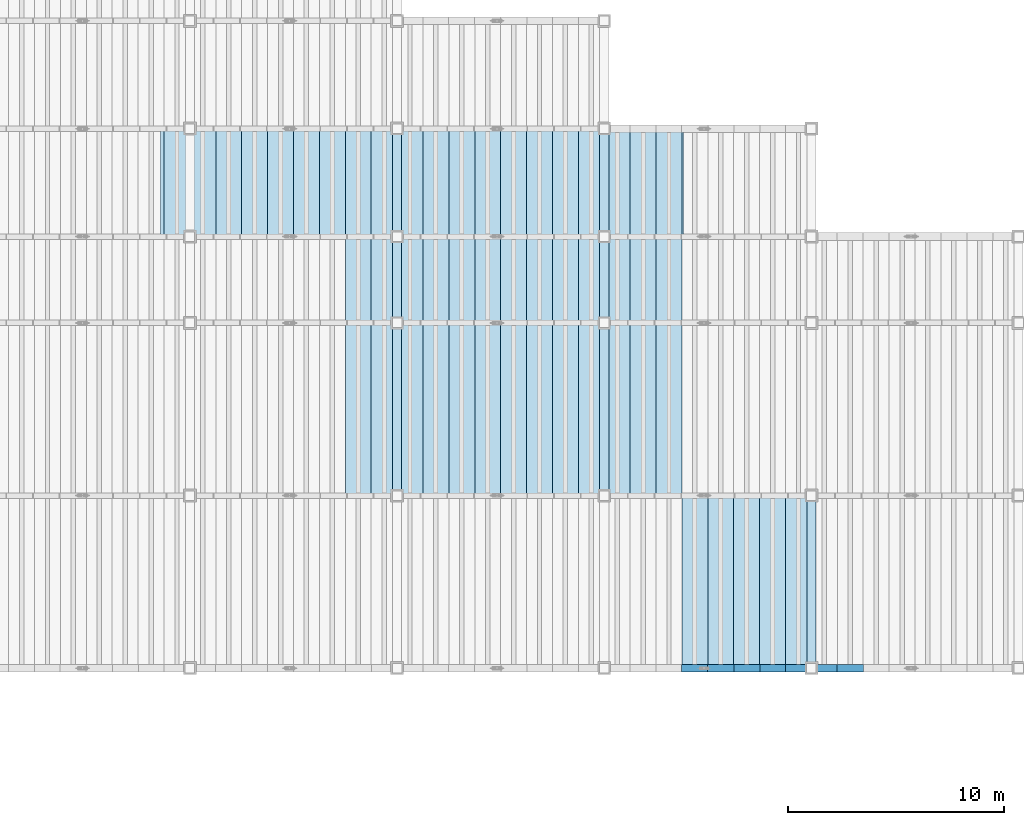
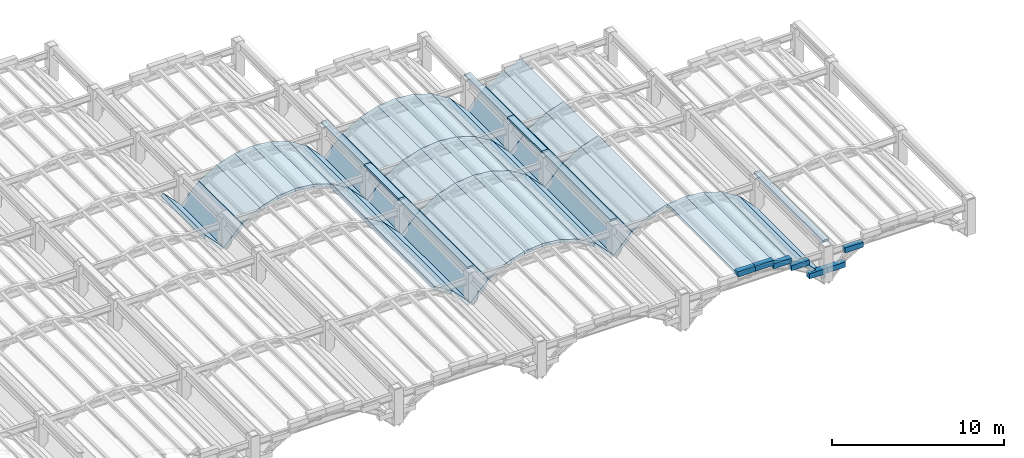
# One storey, part 37 of 70: 51 slabs, 14 plates.
"""IFC4 building model written with IfcOpenShell, lengths in metres."""

from ifc_helpers import new_model, si_unit, direction, frame, origin, origin_2d, place, context, subcontext, project, spatial, polyline, rectangle, outline, extrude, material, layer, layer_set, type_object, element, save


model = new_model("IFC4")

# Units and contexts
model_context = context("Model", 3, precision=1e-05, world=origin(), true_north=direction((0.0, 1.0)))
body_context = subcontext(model_context, "Body", "Model", "MODEL_VIEW")
ifc_project = project(units=[si_unit("LENGTHUNIT", "METRE"), si_unit("AREAUNIT", "SQUARE_METRE"), si_unit("VOLUMEUNIT", "CUBIC_METRE"), si_unit("PLANEANGLEUNIT", "RADIAN"), si_unit("MASSUNIT", "GRAM", prefix="KILO")], contexts=[model_context])

# Site, building, storey
site_placement = place(None, origin())
site = spatial("IfcSite", under=ifc_project, at=site_placement, CompositionType="ELEMENT")
building_placement = place(site_placement, origin())
building = spatial("IfcBuilding", under=site, at=building_placement, Name="Mavantir Sound Aquarium", CompositionType="ELEMENT")
storey_placement = place(building_placement, frame((0.0, 0.0, 27.0)))
storey = spatial("IfcBuildingStorey", under=building, at=storey_placement, Name="RF", CompositionType="ELEMENT", Elevation=27.0)

# Plates
ifc_material_1 = material(Name="Patinated Bronze-Copper Architectural Fascia", Category="metal")
ifc_layer_1 = layer(ifc_material_1, 0.179931640625, Name="Patinated Bronze-Copper Architectural Fascia")
ifc_layer_set_1 = layer_set([ifc_layer_1], Name="Patinated Bronze-Copper Architectural Fascia")
plate_type = type_object("IfcPlateType", Name="PLT-FASCIA-BZ", PredefinedType="SHEET", material=ifc_layer_set_1)
plate_1_placement = place(storey_placement, frame((146.39990234375, 52.800048828125, -4.52001953125), z_axis=(0.0, 0.0, 1.0), x_axis=(1.0, 0.0, 0.0)))
element("IfcPlate", 1, at=plate_1_placement, inside=storey, type_object=plate_type, Name="Scalloped roof bronze ridge fascia 35", PredefinedType="SHEET", context=body_context, shape_type="SweptSolid", body=[
    extrude(rectangle(XDim=0.419921875, YDim=8.0, at=origin_2d()), origin(), (0.0, 0.0, 1.0), 0.139892578125),
])
plate_2_placement = place(storey_placement, frame((146.39990234375, 58.800048828125, -4.52001953125), z_axis=(0.0, 0.0, 1.0), x_axis=(1.0, 0.0, 0.0)))
element("IfcPlate", 2, at=plate_2_placement, inside=storey, type_object=plate_type, Name="Scalloped roof bronze ridge fascia 36", PredefinedType="SHEET", context=body_context, shape_type="SweptSolid", body=[
    extrude(rectangle(XDim=0.419921875, YDim=4.0, at=origin_2d()), origin(), (0.0, 0.0, 1.0), 0.139892578125),
])
plate_3_placement = place(storey_placement, frame((146.39990234375, 63.300048828125, -4.52001953125), z_axis=(0.0, 0.0, 1.0), x_axis=(1.0, 0.0, 0.0)))
element("IfcPlate", 3, at=plate_3_placement, inside=storey, type_object=plate_type, Name="Scalloped roof bronze ridge fascia 37", PredefinedType="SHEET", context=body_context, shape_type="SweptSolid", body=[
    extrude(rectangle(XDim=0.419921875, YDim=5.0, at=origin_2d()), origin(), (0.0, 0.0, 1.0), 0.139892578125),
])
plate_4_placement = place(storey_placement, frame((156.0, 52.800048828125, -4.52001953125), z_axis=(0.0, 0.0, 1.0), x_axis=(1.0, 0.0, 0.0)))
element("IfcPlate", 4, at=plate_4_placement, inside=storey, type_object=plate_type, Name="Scalloped roof bronze ridge fascia 41", PredefinedType="SHEET", context=body_context, shape_type="SweptSolid", body=[
    extrude(rectangle(XDim=0.419921875, YDim=8.0, at=origin_2d()), origin(), (0.0, 0.0, 1.0), 0.139892578125),
])
plate_5_placement = place(storey_placement, frame((156.0, 58.800048828125, -4.52001953125), z_axis=(0.0, 0.0, 1.0), x_axis=(1.0, 0.0, 0.0)))
element("IfcPlate", 5, at=plate_5_placement, inside=storey, type_object=plate_type, Name="Scalloped roof bronze ridge fascia 42", PredefinedType="SHEET", context=body_context, shape_type="SweptSolid", body=[
    extrude(rectangle(XDim=0.419921875, YDim=4.0, at=origin_2d()), origin(), (0.0, 0.0, 1.0), 0.139892578125),
])
plate_6_placement = place(storey_placement, frame((156.0, 63.300048828125, -4.52001953125), z_axis=(0.0, 0.0, 1.0), x_axis=(1.0, 0.0, 0.0)))
element("IfcPlate", 6, at=plate_6_placement, inside=storey, type_object=plate_type, Name="Scalloped roof bronze ridge fascia 43", PredefinedType="SHEET", context=body_context, shape_type="SweptSolid", body=[
    extrude(rectangle(XDim=0.419921875, YDim=5.0, at=origin_2d()), origin(), (0.0, 0.0, 1.0), 0.139892578125),
])
plate_7_placement = place(storey_placement, frame((165.60009765625, 44.800048828125, -4.52001953125), z_axis=(0.0, 0.0, 1.0), x_axis=(1.0, 0.0, 0.0)))
element("IfcPlate", 7, at=plate_7_placement, inside=storey, type_object=plate_type, Name="Scalloped roof bronze ridge fascia 45", PredefinedType="SHEET", context=body_context, shape_type="SweptSolid", body=[
    extrude(rectangle(XDim=0.419921875, YDim=8.0, at=origin_2d()), origin(), (0.0, 0.0, 1.0), 0.139892578125),
])
for number, where, z_axis, x_axis, name in (
    (8, (160.199951171875, 40.800048828125, -4.83203125), (0.0, 0.0, 1.0), (1.0, 0.0, 0.0), "Scalloped bay 6 curved bronze end fascia 135"),
    (9, (161.39990234375, 40.800048828125, -4.83203125), (0.0, 0.0, 1.0), (1.0, 0.0, 0.0), "Scalloped bay 6 curved bronze end fascia 136"),
    (10, (162.60009765625, 40.800048828125, -5.08935546875), (0.0, 0.0, 1.0), (1.0, 0.0, 0.0), "Scalloped bay 6 curved bronze end fascia 137"),
    (11, (163.800048828125, 40.800048828125, -5.6455078125), (0.0, 0.0, 1.0), (1.0, 0.0, 0.0), "Scalloped bay 6 curved bronze end fascia 138"),
    (12, (165.0, 40.800048828125, -6.638671875), (0.0, 0.0, 1.0), (1.0, 0.0, 0.0), "Scalloped bay 6 curved bronze end fascia 139"),
    (13, (166.199951171875, 40.800048828125, -6.638671875), (0.0, 0.0, 1.0), (1.0, 0.0, 0.0), "Scalloped bay 7 curved bronze end fascia 148"),
    (14, (167.39990234375, 40.800048828125, -5.6455078125), (0.0, 0.0, 1.0), (1.0, 0.0, 0.0), "Scalloped bay 7 curved bronze end fascia 149"),
):
    element("IfcPlate", number, at=place(storey_placement, frame(where, z_axis=z_axis, x_axis=x_axis)), inside=storey, type_object=plate_type, Name=name, PredefinedType="SHEET", context=body_context, shape_type="SweptSolid", body=[
        extrude(rectangle(XDim=1.219970703125, YDim=0.360107421875, at=origin_2d()), origin(), (0.0, 0.0, 1.0), 0.360107421875),
    ])

# Slabs
ifc_material_2 = material(Name="Concrete C40/50", Category="concrete")
ifc_layer_2 = layer(ifc_material_2, 0.219970703125, Name="Concrete C40/50")
ifc_layer_set_2 = layer_set([ifc_layer_2], Name="Concrete C40/50")
slab_type = type_object("IfcSlabType", Name="SLB-RF-SC", PredefinedType="ROOF", material=ifc_layer_set_2)
slab_1_placement = place(storey_placement, frame((135.60009765625, 60.800048828125, -5.716796875), z_axis=(0.725020424784, 0.0, 0.688727365252), x_axis=(0.688727365252, 0.0, -0.725020424784)))
element("IfcSlab", 15, at=slab_1_placement, inside=storey, type_object=slab_type, Name="Scalloped bay 3 sagging-arc roof panel 168", PredefinedType="ROOF", context=body_context, shape_type="SweptSolid", body=[
    extrude(outline(polyline([(0.0, 0.0), (1.74227311475651, 0.0), (1.74227311475651, 5.0), (0.0, 5.0), (0.0, 0.0)])), origin(), (0.0, 0.0, -1.0), 0.219970703125),
])
slab_2_placement = place(storey_placement, frame((144.0, 48.800048828125, -4.994140625), z_axis=(0.515904776109, 0.0, 0.856645937356), x_axis=(0.856645937356, 0.0, -0.515904776109)))
element("IfcSlab", 16, at=slab_2_placement, inside=storey, type_object=slab_type, Name="Scalloped bay 4 sagging-arc roof panel 207", PredefinedType="ROOF", context=body_context, shape_type="SweptSolid", body=[
    extrude(outline(polyline([(0.0, 0.0), (1.4007551072718774, 0.0), (1.4007551072718774, 8.0), (0.0, 8.0), (0.0, 0.0)])), origin(), (0.0, 0.0, -1.0), 0.219970703125),
])
slab_3_placement = place(storey_placement, frame((145.199951171875, 48.800048828125, -5.716796875), z_axis=(0.725020424784, 0.0, 0.688727365252), x_axis=(0.688727365252, 0.0, -0.725020424784)))
element("IfcSlab", 17, at=slab_3_placement, inside=storey, type_object=slab_type, Name="Scalloped bay 4 sagging-arc roof panel 208", PredefinedType="ROOF", context=body_context, shape_type="SweptSolid", body=[
    extrude(outline(polyline([(0.0, 0.0), (1.74227311475651, 0.0), (1.74227311475651, 8.0), (0.0, 8.0), (0.0, 0.0)])), origin(), (0.0, 0.0, -1.0), 0.219970703125),
])
slab_4_placement = place(storey_placement, frame((144.0, 56.800048828125, -4.994140625), z_axis=(0.515904776109, 0.0, 0.856645937356), x_axis=(0.856645937356, 0.0, -0.515904776109)))
element("IfcSlab", 18, at=slab_4_placement, inside=storey, type_object=slab_type, Name="Scalloped bay 4 sagging-arc roof panel 215", PredefinedType="ROOF", context=body_context, shape_type="SweptSolid", body=[
    extrude(outline(polyline([(0.0, 0.0), (1.4007551072718774, 0.0), (1.4007551072718774, 4.0), (0.0, 4.0), (0.0, 0.0)])), origin(), (0.0, 0.0, -1.0), 0.219970703125),
])
slab_5_placement = place(storey_placement, frame((145.199951171875, 56.800048828125, -5.716796875), z_axis=(0.725020424784, 0.0, 0.688727365252), x_axis=(0.688727365252, 0.0, -0.725020424784)))
element("IfcSlab", 19, at=slab_5_placement, inside=storey, type_object=slab_type, Name="Scalloped bay 4 sagging-arc roof panel 216", PredefinedType="ROOF", context=body_context, shape_type="SweptSolid", body=[
    extrude(outline(polyline([(0.0, 0.0), (1.74227311475651, 0.0), (1.74227311475651, 4.0), (0.0, 4.0), (0.0, 0.0)])), origin(), (0.0, 0.0, -1.0), 0.219970703125),
])
slab_6_placement = place(storey_placement, frame((136.800048828125, 60.800048828125, -6.97998046875), z_axis=(-0.725020424784, 0.0, 0.688727365252), x_axis=(0.688727365252, 0.0, 0.725020424784)))
element("IfcSlab", 20, at=slab_6_placement, inside=storey, type_object=slab_type, Name="Scalloped bay 4 sagging-arc roof panel 217", PredefinedType="ROOF", context=body_context, shape_type="SweptSolid", body=[
    extrude(outline(polyline([(0.0, 0.0), (1.74227311475651, 0.0), (1.74227311475651, 5.0), (0.0, 5.0), (0.0, 0.0)])), origin(), (0.0, 0.0, -1.0), 0.219970703125),
])
slab_7_placement = place(storey_placement, frame((138.0, 60.800048828125, -5.716796875), z_axis=(-0.515904776109, 0.0, 0.856645937356), x_axis=(0.856645937356, 0.0, 0.515904776109)))
element("IfcSlab", 21, at=slab_7_placement, inside=storey, type_object=slab_type, Name="Scalloped bay 4 sagging-arc roof panel 218", PredefinedType="ROOF", context=body_context, shape_type="SweptSolid", body=[
    extrude(outline(polyline([(0.0, 0.0), (1.4007551072718774, 0.0), (1.4007551072718774, 5.0), (0.0, 5.0), (0.0, 0.0)])), origin(), (0.0, 0.0, -1.0), 0.219970703125),
])
slab_8_placement = place(storey_placement, frame((139.199951171875, 60.800048828125, -4.994140625), z_axis=(-0.309020441102, 0.0, 0.951055396379), x_axis=(0.951055396379, 0.0, 0.309020441102)))
element("IfcSlab", 22, at=slab_8_placement, inside=storey, type_object=slab_type, Name="Scalloped bay 4 sagging-arc roof panel 219", PredefinedType="ROOF", context=body_context, shape_type="SweptSolid", body=[
    extrude(outline(polyline([(0.0, 0.0), (1.2617048138772973, 0.0), (1.2617048138772973, 5.0), (0.0, 5.0), (0.0, 0.0)])), origin(), (0.0, 0.0, -1.0), 0.219970703125),
])
slab_9_placement = place(storey_placement, frame((140.39990234375, 60.800048828125, -4.604248046875), z_axis=(-0.102988892519, 0.0, 0.994682506138), x_axis=(0.994682506138, 0.0, 0.102988892519)))
element("IfcSlab", 23, at=slab_9_placement, inside=storey, type_object=slab_type, Name="Scalloped bay 4 sagging-arc roof panel 220", PredefinedType="ROOF", context=body_context, shape_type="SweptSolid", body=[
    extrude(outline(polyline([(0.0, 0.0), (1.206611461540137, 0.0), (1.206611461540137, 5.000000000000001), (0.0, 5.000000000000001), (0.0, 0.0)])), origin(), (0.0, 0.0, -1.0), 0.219970703125),
])
slab_10_placement = place(storey_placement, frame((141.60009765625, 60.800048828125, -4.47998046875), z_axis=(0.103009624196, 0.0, 0.994680359373), x_axis=(0.994680359373, 0.0, -0.103009624196)))
element("IfcSlab", 24, at=slab_10_placement, inside=storey, type_object=slab_type, Name="Scalloped bay 4 sagging-arc roof panel 221", PredefinedType="ROOF", context=body_context, shape_type="SweptSolid", body=[
    extrude(outline(polyline([(0.0, 0.0), (1.206368619393442, 0.0), (1.206368619393442, 5.000000000000001), (0.0, 5.000000000000001), (0.0, 0.0)])), origin(), (0.0, 0.0, -1.0), 0.219970703125),
])
slab_11_placement = place(storey_placement, frame((142.800048828125, 60.800048828125, -4.604248046875), z_axis=(0.309020441102, 0.0, 0.951055396379), x_axis=(0.951055396379, 0.0, -0.309020441102)))
element("IfcSlab", 25, at=slab_11_placement, inside=storey, type_object=slab_type, Name="Scalloped bay 4 sagging-arc roof panel 222", PredefinedType="ROOF", context=body_context, shape_type="SweptSolid", body=[
    extrude(outline(polyline([(0.0, 0.0), (1.2617048138772973, 0.0), (1.2617048138772973, 5.0), (0.0, 5.0), (0.0, 0.0)])), origin(), (0.0, 0.0, -1.0), 0.219970703125),
])
slab_12_placement = place(storey_placement, frame((144.0, 60.800048828125, -4.994140625), z_axis=(0.515904776109, 0.0, 0.856645937356), x_axis=(0.856645937356, 0.0, -0.515904776109)))
element("IfcSlab", 26, at=slab_12_placement, inside=storey, type_object=slab_type, Name="Scalloped bay 4 sagging-arc roof panel 223", PredefinedType="ROOF", context=body_context, shape_type="SweptSolid", body=[
    extrude(outline(polyline([(0.0, 0.0), (1.4007551072718774, 0.0), (1.4007551072718774, 5.0), (0.0, 5.0), (0.0, 0.0)])), origin(), (0.0, 0.0, -1.0), 0.219970703125),
])
slab_13_placement = place(storey_placement, frame((145.199951171875, 60.800048828125, -5.716796875), z_axis=(0.725020424784, 0.0, 0.688727365252), x_axis=(0.688727365252, 0.0, -0.725020424784)))
element("IfcSlab", 27, at=slab_13_placement, inside=storey, type_object=slab_type, Name="Scalloped bay 4 sagging-arc roof panel 224", PredefinedType="ROOF", context=body_context, shape_type="SweptSolid", body=[
    extrude(outline(polyline([(0.0, 0.0), (1.74227311475651, 0.0), (1.74227311475651, 5.0), (0.0, 5.0), (0.0, 0.0)])), origin(), (0.0, 0.0, -1.0), 0.219970703125),
])
slab_14_placement = place(storey_placement, frame((146.39990234375, 48.800048828125, -6.97998046875), z_axis=(-0.724950456261, 0.0, 0.688801013332), x_axis=(0.688801013332, 0.0, 0.724950456261)))
element("IfcSlab", 28, at=slab_14_placement, inside=storey, type_object=slab_type, Name="Scalloped bay 5 sagging-arc roof panel 249", PredefinedType="ROOF", context=body_context, shape_type="SweptSolid", body=[
    extrude(outline(polyline([(0.0, 0.0), (1.7424412700765952, 0.0), (1.7424412700765952, 8.000000000000002), (0.0, 8.000000000000002), (0.0, 0.0)])), origin(), (0.0, 0.0, -1.0), 0.219970703125),
])
slab_15_placement = place(storey_placement, frame((147.60009765625, 48.800048828125, -5.716796875), z_axis=(-0.515904776109, 0.0, 0.856645937356), x_axis=(0.856645937356, 0.0, 0.515904776109)))
element("IfcSlab", 29, at=slab_15_placement, inside=storey, type_object=slab_type, Name="Scalloped bay 5 sagging-arc roof panel 250", PredefinedType="ROOF", context=body_context, shape_type="SweptSolid", body=[
    extrude(outline(polyline([(0.0, 0.0), (1.4007551072718774, 0.0), (1.4007551072718774, 8.0), (0.0, 8.0), (0.0, 0.0)])), origin(), (0.0, 0.0, -1.0), 0.219970703125),
])
slab_16_placement = place(storey_placement, frame((148.800048828125, 48.800048828125, -4.994140625), z_axis=(-0.309020441102, 0.0, 0.951055396379), x_axis=(0.951055396379, 0.0, 0.309020441102)))
element("IfcSlab", 30, at=slab_16_placement, inside=storey, type_object=slab_type, Name="Scalloped bay 5 sagging-arc roof panel 251", PredefinedType="ROOF", context=body_context, shape_type="SweptSolid", body=[
    extrude(outline(polyline([(0.0, 0.0), (1.2617048138772973, 0.0), (1.2617048138772973, 8.000000000000002), (0.0, 8.000000000000002), (0.0, 0.0)])), origin(), (0.0, 0.0, -1.0), 0.219970703125),
])
for number, where, z_axis, x_axis, name in (
    (31, (150.0, 48.800048828125, -4.604248046875), (-0.103009624196, 0.0, 0.994680359373), (0.994680359373, 0.0, 0.103009624196), "Scalloped bay 5 sagging-arc roof panel 252"),
    (32, (151.199951171875, 48.800048828125, -4.47998046875), (0.103009624196, 0.0, 0.994680359373), (0.994680359373, 0.0, -0.103009624196), "Scalloped bay 5 sagging-arc roof panel 253"),
):
    element("IfcSlab", number, at=place(storey_placement, frame(where, z_axis=z_axis, x_axis=x_axis)), inside=storey, type_object=slab_type, Name=name, PredefinedType="ROOF", context=body_context, shape_type="SweptSolid", body=[
        extrude(outline(polyline([(0.0, 0.0), (1.206368619393442, 0.0), (1.206368619393442, 8.000000000000002), (0.0, 8.000000000000002), (0.0, 0.0)])), origin(), (0.0, 0.0, -1.0), 0.219970703125),
    ])
slab_17_placement = place(storey_placement, frame((152.39990234375, 48.800048828125, -4.604248046875), z_axis=(0.30896358205, 0.0, 0.951073869353), x_axis=(0.951073869353, 0.0, -0.30896358205)))
element("IfcSlab", 33, at=slab_17_placement, inside=storey, type_object=slab_type, Name="Scalloped bay 5 sagging-arc roof panel 254", PredefinedType="ROOF", context=body_context, shape_type="SweptSolid", body=[
    extrude(outline(polyline([(0.0, 0.0), (1.261937007391388, 0.0), (1.261937007391388, 7.999999999999999), (0.0, 7.999999999999999), (0.0, 0.0)])), origin(), (0.0, 0.0, -1.0), 0.219970703125),
])
slab_18_placement = place(storey_placement, frame((153.60009765625, 48.800048828125, -4.994140625), z_axis=(0.515904776109, 0.0, 0.856645937356), x_axis=(0.856645937356, 0.0, -0.515904776109)))
element("IfcSlab", 34, at=slab_18_placement, inside=storey, type_object=slab_type, Name="Scalloped bay 5 sagging-arc roof panel 255", PredefinedType="ROOF", context=body_context, shape_type="SweptSolid", body=[
    extrude(outline(polyline([(0.0, 0.0), (1.4007551072718774, 0.0), (1.4007551072718774, 8.0), (0.0, 8.0), (0.0, 0.0)])), origin(), (0.0, 0.0, -1.0), 0.219970703125),
])
slab_19_placement = place(storey_placement, frame((154.800048828125, 48.800048828125, -5.716796875), z_axis=(0.725020424784, 0.0, 0.688727365252), x_axis=(0.688727365252, 0.0, -0.725020424784)))
element("IfcSlab", 35, at=slab_19_placement, inside=storey, type_object=slab_type, Name="Scalloped bay 5 sagging-arc roof panel 256", PredefinedType="ROOF", context=body_context, shape_type="SweptSolid", body=[
    extrude(outline(polyline([(0.0, 0.0), (1.74227311475651, 0.0), (1.74227311475651, 8.0), (0.0, 8.0), (0.0, 0.0)])), origin(), (0.0, 0.0, -1.0), 0.219970703125),
])
slab_20_placement = place(storey_placement, frame((146.39990234375, 56.800048828125, -6.97998046875), z_axis=(-0.724950456261, 0.0, 0.688801013332), x_axis=(0.688801013332, 0.0, 0.724950456261)))
element("IfcSlab", 36, at=slab_20_placement, inside=storey, type_object=slab_type, Name="Scalloped bay 5 sagging-arc roof panel 257", PredefinedType="ROOF", context=body_context, shape_type="SweptSolid", body=[
    extrude(outline(polyline([(0.0, 0.0), (1.7424412700765952, 0.0), (1.7424412700765952, 4.000000000000001), (0.0, 4.000000000000001), (0.0, 0.0)])), origin(), (0.0, 0.0, -1.0), 0.219970703125),
])
slab_21_placement = place(storey_placement, frame((147.60009765625, 56.800048828125, -5.716796875), z_axis=(-0.515904776109, 0.0, 0.856645937356), x_axis=(0.856645937356, 0.0, 0.515904776109)))
element("IfcSlab", 37, at=slab_21_placement, inside=storey, type_object=slab_type, Name="Scalloped bay 5 sagging-arc roof panel 258", PredefinedType="ROOF", context=body_context, shape_type="SweptSolid", body=[
    extrude(outline(polyline([(0.0, 0.0), (1.4007551072718774, 0.0), (1.4007551072718774, 4.0), (0.0, 4.0), (0.0, 0.0)])), origin(), (0.0, 0.0, -1.0), 0.219970703125),
])
slab_22_placement = place(storey_placement, frame((148.800048828125, 56.800048828125, -4.994140625), z_axis=(-0.309020441102, 0.0, 0.951055396379), x_axis=(0.951055396379, 0.0, 0.309020441102)))
element("IfcSlab", 38, at=slab_22_placement, inside=storey, type_object=slab_type, Name="Scalloped bay 5 sagging-arc roof panel 259", PredefinedType="ROOF", context=body_context, shape_type="SweptSolid", body=[
    extrude(outline(polyline([(0.0, 0.0), (1.2617048138772973, 0.0), (1.2617048138772973, 4.000000000000001), (0.0, 4.000000000000001), (0.0, 0.0)])), origin(), (0.0, 0.0, -1.0), 0.219970703125),
])
for number, where, z_axis, x_axis, name in (
    (39, (150.0, 56.800048828125, -4.604248046875), (-0.103009624196, 0.0, 0.994680359373), (0.994680359373, 0.0, 0.103009624196), "Scalloped bay 5 sagging-arc roof panel 260"),
    (40, (151.199951171875, 56.800048828125, -4.47998046875), (0.103009624196, 0.0, 0.994680359373), (0.994680359373, 0.0, -0.103009624196), "Scalloped bay 5 sagging-arc roof panel 261"),
):
    element("IfcSlab", number, at=place(storey_placement, frame(where, z_axis=z_axis, x_axis=x_axis)), inside=storey, type_object=slab_type, Name=name, PredefinedType="ROOF", context=body_context, shape_type="SweptSolid", body=[
        extrude(outline(polyline([(0.0, 0.0), (1.206368619393442, 0.0), (1.206368619393442, 4.000000000000001), (0.0, 4.000000000000001), (0.0, 0.0)])), origin(), (0.0, 0.0, -1.0), 0.219970703125),
    ])
slab_23_placement = place(storey_placement, frame((152.39990234375, 56.800048828125, -4.604248046875), z_axis=(0.30896358205, 0.0, 0.951073869353), x_axis=(0.951073869353, 0.0, -0.30896358205)))
element("IfcSlab", 41, at=slab_23_placement, inside=storey, type_object=slab_type, Name="Scalloped bay 5 sagging-arc roof panel 262", PredefinedType="ROOF", context=body_context, shape_type="SweptSolid", body=[
    extrude(outline(polyline([(0.0, 0.0), (1.261937007391388, 0.0), (1.261937007391388, 3.9999999999999996), (0.0, 3.9999999999999996), (0.0, 0.0)])), origin(), (0.0, 0.0, -1.0), 0.219970703125),
])
slab_24_placement = place(storey_placement, frame((153.60009765625, 56.800048828125, -4.994140625), z_axis=(0.515904776109, 0.0, 0.856645937356), x_axis=(0.856645937356, 0.0, -0.515904776109)))
element("IfcSlab", 42, at=slab_24_placement, inside=storey, type_object=slab_type, Name="Scalloped bay 5 sagging-arc roof panel 263", PredefinedType="ROOF", context=body_context, shape_type="SweptSolid", body=[
    extrude(outline(polyline([(0.0, 0.0), (1.4007551072718774, 0.0), (1.4007551072718774, 4.0), (0.0, 4.0), (0.0, 0.0)])), origin(), (0.0, 0.0, -1.0), 0.219970703125),
])
slab_25_placement = place(storey_placement, frame((154.800048828125, 56.800048828125, -5.716796875), z_axis=(0.725020424784, 0.0, 0.688727365252), x_axis=(0.688727365252, 0.0, -0.725020424784)))
element("IfcSlab", 43, at=slab_25_placement, inside=storey, type_object=slab_type, Name="Scalloped bay 5 sagging-arc roof panel 264", PredefinedType="ROOF", context=body_context, shape_type="SweptSolid", body=[
    extrude(outline(polyline([(0.0, 0.0), (1.74227311475651, 0.0), (1.74227311475651, 4.0), (0.0, 4.0), (0.0, 0.0)])), origin(), (0.0, 0.0, -1.0), 0.219970703125),
])
slab_26_placement = place(storey_placement, frame((146.39990234375, 60.800048828125, -6.97998046875), z_axis=(-0.724950456261, 0.0, 0.688801013332), x_axis=(0.688801013332, 0.0, 0.724950456261)))
element("IfcSlab", 44, at=slab_26_placement, inside=storey, type_object=slab_type, Name="Scalloped bay 5 sagging-arc roof panel 265", PredefinedType="ROOF", context=body_context, shape_type="SweptSolid", body=[
    extrude(outline(polyline([(0.0, 0.0), (1.7424412700765952, 0.0), (1.7424412700765952, 5.0), (0.0, 5.0), (0.0, 0.0)])), origin(), (0.0, 0.0, -1.0), 0.219970703125),
])
slab_27_placement = place(storey_placement, frame((147.60009765625, 60.800048828125, -5.716796875), z_axis=(-0.515904776109, 0.0, 0.856645937356), x_axis=(0.856645937356, 0.0, 0.515904776109)))
element("IfcSlab", 45, at=slab_27_placement, inside=storey, type_object=slab_type, Name="Scalloped bay 5 sagging-arc roof panel 266", PredefinedType="ROOF", context=body_context, shape_type="SweptSolid", body=[
    extrude(outline(polyline([(0.0, 0.0), (1.4007551072718774, 0.0), (1.4007551072718774, 5.0), (0.0, 5.0), (0.0, 0.0)])), origin(), (0.0, 0.0, -1.0), 0.219970703125),
])
slab_28_placement = place(storey_placement, frame((148.800048828125, 60.800048828125, -4.994140625), z_axis=(-0.309020441102, 0.0, 0.951055396379), x_axis=(0.951055396379, 0.0, 0.309020441102)))
element("IfcSlab", 46, at=slab_28_placement, inside=storey, type_object=slab_type, Name="Scalloped bay 5 sagging-arc roof panel 267", PredefinedType="ROOF", context=body_context, shape_type="SweptSolid", body=[
    extrude(outline(polyline([(0.0, 0.0), (1.2617048138772973, 0.0), (1.2617048138772973, 5.0), (0.0, 5.0), (0.0, 0.0)])), origin(), (0.0, 0.0, -1.0), 0.219970703125),
])
for number, where, z_axis, x_axis, name in (
    (47, (150.0, 60.800048828125, -4.604248046875), (-0.103009624196, 0.0, 0.994680359373), (0.994680359373, 0.0, 0.103009624196), "Scalloped bay 5 sagging-arc roof panel 268"),
    (48, (151.199951171875, 60.800048828125, -4.47998046875), (0.103009624196, 0.0, 0.994680359373), (0.994680359373, 0.0, -0.103009624196), "Scalloped bay 5 sagging-arc roof panel 269"),
):
    element("IfcSlab", number, at=place(storey_placement, frame(where, z_axis=z_axis, x_axis=x_axis)), inside=storey, type_object=slab_type, Name=name, PredefinedType="ROOF", context=body_context, shape_type="SweptSolid", body=[
        extrude(outline(polyline([(0.0, 0.0), (1.206368619393442, 0.0), (1.206368619393442, 5.000000000000001), (0.0, 5.000000000000001), (0.0, 0.0)])), origin(), (0.0, 0.0, -1.0), 0.219970703125),
    ])
slab_29_placement = place(storey_placement, frame((152.39990234375, 60.800048828125, -4.604248046875), z_axis=(0.30896358205, 0.0, 0.951073869353), x_axis=(0.951073869353, 0.0, -0.30896358205)))
element("IfcSlab", 49, at=slab_29_placement, inside=storey, type_object=slab_type, Name="Scalloped bay 5 sagging-arc roof panel 270", PredefinedType="ROOF", context=body_context, shape_type="SweptSolid", body=[
    extrude(outline(polyline([(0.0, 0.0), (1.261937007391388, 0.0), (1.261937007391388, 5.0), (0.0, 5.0), (0.0, 0.0)])), origin(), (0.0, 0.0, -1.0), 0.219970703125),
])
slab_30_placement = place(storey_placement, frame((153.60009765625, 60.800048828125, -4.994140625), z_axis=(0.515904776109, 0.0, 0.856645937356), x_axis=(0.856645937356, 0.0, -0.515904776109)))
element("IfcSlab", 50, at=slab_30_placement, inside=storey, type_object=slab_type, Name="Scalloped bay 5 sagging-arc roof panel 271", PredefinedType="ROOF", context=body_context, shape_type="SweptSolid", body=[
    extrude(outline(polyline([(0.0, 0.0), (1.4007551072718774, 0.0), (1.4007551072718774, 5.0), (0.0, 5.0), (0.0, 0.0)])), origin(), (0.0, 0.0, -1.0), 0.219970703125),
])
slab_31_placement = place(storey_placement, frame((154.800048828125, 60.800048828125, -5.716796875), z_axis=(0.725020424784, 0.0, 0.688727365252), x_axis=(0.688727365252, 0.0, -0.725020424784)))
element("IfcSlab", 51, at=slab_31_placement, inside=storey, type_object=slab_type, Name="Scalloped bay 5 sagging-arc roof panel 272", PredefinedType="ROOF", context=body_context, shape_type="SweptSolid", body=[
    extrude(outline(polyline([(0.0, 0.0), (1.74227311475651, 0.0), (1.74227311475651, 5.0), (0.0, 5.0), (0.0, 0.0)])), origin(), (0.0, 0.0, -1.0), 0.219970703125),
])
for number, where, z_axis, x_axis, name in (
    (52, (159.60009765625, 40.800048828125, -4.604248046875), (-0.103009624196, 0.0, 0.994680359373), (0.994680359373, 0.0, 0.103009624196), "Scalloped bay 6 sagging-arc roof panel 284"),
    (53, (160.800048828125, 40.800048828125, -4.47998046875), (0.103009624196, 0.0, 0.994680359373), (0.994680359373, 0.0, -0.103009624196), "Scalloped bay 6 sagging-arc roof panel 285"),
):
    element("IfcSlab", number, at=place(storey_placement, frame(where, z_axis=z_axis, x_axis=x_axis)), inside=storey, type_object=slab_type, Name=name, PredefinedType="ROOF", context=body_context, shape_type="SweptSolid", body=[
        extrude(outline(polyline([(0.0, 0.0), (1.206368619393442, 0.0), (1.206368619393442, 8.000000000000002), (0.0, 8.000000000000002), (0.0, 0.0)])), origin(), (0.0, 0.0, -1.0), 0.219970703125),
    ])
slab_32_placement = place(storey_placement, frame((162.0, 40.800048828125, -4.604248046875), z_axis=(0.309020441102, 0.0, 0.951055396379), x_axis=(0.951055396379, 0.0, -0.309020441102)))
element("IfcSlab", 54, at=slab_32_placement, inside=storey, type_object=slab_type, Name="Scalloped bay 6 sagging-arc roof panel 286", PredefinedType="ROOF", context=body_context, shape_type="SweptSolid", body=[
    extrude(outline(polyline([(0.0, 0.0), (1.2617048138772973, 0.0), (1.2617048138772973, 8.000000000000002), (0.0, 8.000000000000002), (0.0, 0.0)])), origin(), (0.0, 0.0, -1.0), 0.219970703125),
])
slab_33_placement = place(storey_placement, frame((163.199951171875, 40.800048828125, -4.994140625), z_axis=(0.515904776109, 0.0, 0.856645937356), x_axis=(0.856645937356, 0.0, -0.515904776109)))
element("IfcSlab", 55, at=slab_33_placement, inside=storey, type_object=slab_type, Name="Scalloped bay 6 sagging-arc roof panel 287", PredefinedType="ROOF", context=body_context, shape_type="SweptSolid", body=[
    extrude(outline(polyline([(0.0, 0.0), (1.4007551072718774, 0.0), (1.4007551072718774, 8.0), (0.0, 8.0), (0.0, 0.0)])), origin(), (0.0, 0.0, -1.0), 0.219970703125),
])
slab_34_placement = place(storey_placement, frame((164.39990234375, 40.800048828125, -5.716796875), z_axis=(0.724950456261, 0.0, 0.688801013332), x_axis=(0.688801013332, 0.0, -0.724950456261)))
element("IfcSlab", 56, at=slab_34_placement, inside=storey, type_object=slab_type, Name="Scalloped bay 6 sagging-arc roof panel 288", PredefinedType="ROOF", context=body_context, shape_type="SweptSolid", body=[
    extrude(outline(polyline([(0.0, 0.0), (1.7424412700765952, 0.0), (1.7424412700765952, 8.000000000000002), (0.0, 8.000000000000002), (0.0, 0.0)])), origin(), (0.0, 0.0, -1.0), 0.219970703125),
])
slab_35_placement = place(storey_placement, frame((156.0, 48.800048828125, -6.97998046875), z_axis=(-0.725020424784, 0.0, 0.688727365252), x_axis=(0.688727365252, 0.0, 0.725020424784)))
element("IfcSlab", 57, at=slab_35_placement, inside=storey, type_object=slab_type, Name="Scalloped bay 6 sagging-arc roof panel 289", PredefinedType="ROOF", context=body_context, shape_type="SweptSolid", body=[
    extrude(outline(polyline([(0.0, 0.0), (1.74227311475651, 0.0), (1.74227311475651, 8.0), (0.0, 8.0), (0.0, 0.0)])), origin(), (0.0, 0.0, -1.0), 0.219970703125),
])
slab_36_placement = place(storey_placement, frame((157.199951171875, 48.800048828125, -5.716796875), z_axis=(-0.515904776109, 0.0, 0.856645937356), x_axis=(0.856645937356, 0.0, 0.515904776109)))
element("IfcSlab", 58, at=slab_36_placement, inside=storey, type_object=slab_type, Name="Scalloped bay 6 sagging-arc roof panel 290", PredefinedType="ROOF", context=body_context, shape_type="SweptSolid", body=[
    extrude(outline(polyline([(0.0, 0.0), (1.4007551072718774, 0.0), (1.4007551072718774, 8.0), (0.0, 8.0), (0.0, 0.0)])), origin(), (0.0, 0.0, -1.0), 0.219970703125),
])
slab_37_placement = place(storey_placement, frame((158.39990234375, 48.800048828125, -4.994140625), z_axis=(-0.30896358205, 0.0, 0.951073869353), x_axis=(0.951073869353, 0.0, 0.30896358205)))
element("IfcSlab", 59, at=slab_37_placement, inside=storey, type_object=slab_type, Name="Scalloped bay 6 sagging-arc roof panel 291", PredefinedType="ROOF", context=body_context, shape_type="SweptSolid", body=[
    extrude(outline(polyline([(0.0, 0.0), (1.261937007391388, 0.0), (1.261937007391388, 7.999999999999999), (0.0, 7.999999999999999), (0.0, 0.0)])), origin(), (0.0, 0.0, -1.0), 0.219970703125),
])
slab_38_placement = place(storey_placement, frame((156.0, 56.800048828125, -6.97998046875), z_axis=(-0.725020424784, 0.0, 0.688727365252), x_axis=(0.688727365252, 0.0, 0.725020424784)))
element("IfcSlab", 60, at=slab_38_placement, inside=storey, type_object=slab_type, Name="Scalloped bay 6 sagging-arc roof panel 297", PredefinedType="ROOF", context=body_context, shape_type="SweptSolid", body=[
    extrude(outline(polyline([(0.0, 0.0), (1.74227311475651, 0.0), (1.74227311475651, 4.0), (0.0, 4.0), (0.0, 0.0)])), origin(), (0.0, 0.0, -1.0), 0.219970703125),
])
slab_39_placement = place(storey_placement, frame((157.199951171875, 56.800048828125, -5.716796875), z_axis=(-0.515904776109, 0.0, 0.856645937356), x_axis=(0.856645937356, 0.0, 0.515904776109)))
element("IfcSlab", 61, at=slab_39_placement, inside=storey, type_object=slab_type, Name="Scalloped bay 6 sagging-arc roof panel 298", PredefinedType="ROOF", context=body_context, shape_type="SweptSolid", body=[
    extrude(outline(polyline([(0.0, 0.0), (1.4007551072718774, 0.0), (1.4007551072718774, 4.0), (0.0, 4.0), (0.0, 0.0)])), origin(), (0.0, 0.0, -1.0), 0.219970703125),
])
slab_40_placement = place(storey_placement, frame((158.39990234375, 56.800048828125, -4.994140625), z_axis=(-0.30896358205, 0.0, 0.951073869353), x_axis=(0.951073869353, 0.0, 0.30896358205)))
element("IfcSlab", 62, at=slab_40_placement, inside=storey, type_object=slab_type, Name="Scalloped bay 6 sagging-arc roof panel 299", PredefinedType="ROOF", context=body_context, shape_type="SweptSolid", body=[
    extrude(outline(polyline([(0.0, 0.0), (1.261937007391388, 0.0), (1.261937007391388, 3.9999999999999996), (0.0, 3.9999999999999996), (0.0, 0.0)])), origin(), (0.0, 0.0, -1.0), 0.219970703125),
])
slab_41_placement = place(storey_placement, frame((156.0, 60.800048828125, -6.97998046875), z_axis=(-0.725020424784, 0.0, 0.688727365252), x_axis=(0.688727365252, 0.0, 0.725020424784)))
element("IfcSlab", 63, at=slab_41_placement, inside=storey, type_object=slab_type, Name="Scalloped bay 6 sagging-arc roof panel 305", PredefinedType="ROOF", context=body_context, shape_type="SweptSolid", body=[
    extrude(outline(polyline([(0.0, 0.0), (1.74227311475651, 0.0), (1.74227311475651, 5.0), (0.0, 5.0), (0.0, 0.0)])), origin(), (0.0, 0.0, -1.0), 0.219970703125),
])
slab_42_placement = place(storey_placement, frame((157.199951171875, 60.800048828125, -5.716796875), z_axis=(-0.515904776109, 0.0, 0.856645937356), x_axis=(0.856645937356, 0.0, 0.515904776109)))
element("IfcSlab", 64, at=slab_42_placement, inside=storey, type_object=slab_type, Name="Scalloped bay 6 sagging-arc roof panel 306", PredefinedType="ROOF", context=body_context, shape_type="SweptSolid", body=[
    extrude(outline(polyline([(0.0, 0.0), (1.4007551072718774, 0.0), (1.4007551072718774, 5.0), (0.0, 5.0), (0.0, 0.0)])), origin(), (0.0, 0.0, -1.0), 0.219970703125),
])
slab_43_placement = place(storey_placement, frame((158.39990234375, 60.800048828125, -4.994140625), z_axis=(-0.30896358205, 0.0, 0.951073869353), x_axis=(0.951073869353, 0.0, 0.30896358205)))
element("IfcSlab", 65, at=slab_43_placement, inside=storey, type_object=slab_type, Name="Scalloped bay 6 sagging-arc roof panel 307", PredefinedType="ROOF", context=body_context, shape_type="SweptSolid", body=[
    extrude(outline(polyline([(0.0, 0.0), (1.261937007391388, 0.0), (1.261937007391388, 5.0), (0.0, 5.0), (0.0, 0.0)])), origin(), (0.0, 0.0, -1.0), 0.219970703125),
])

save(model, "model.ifc")
